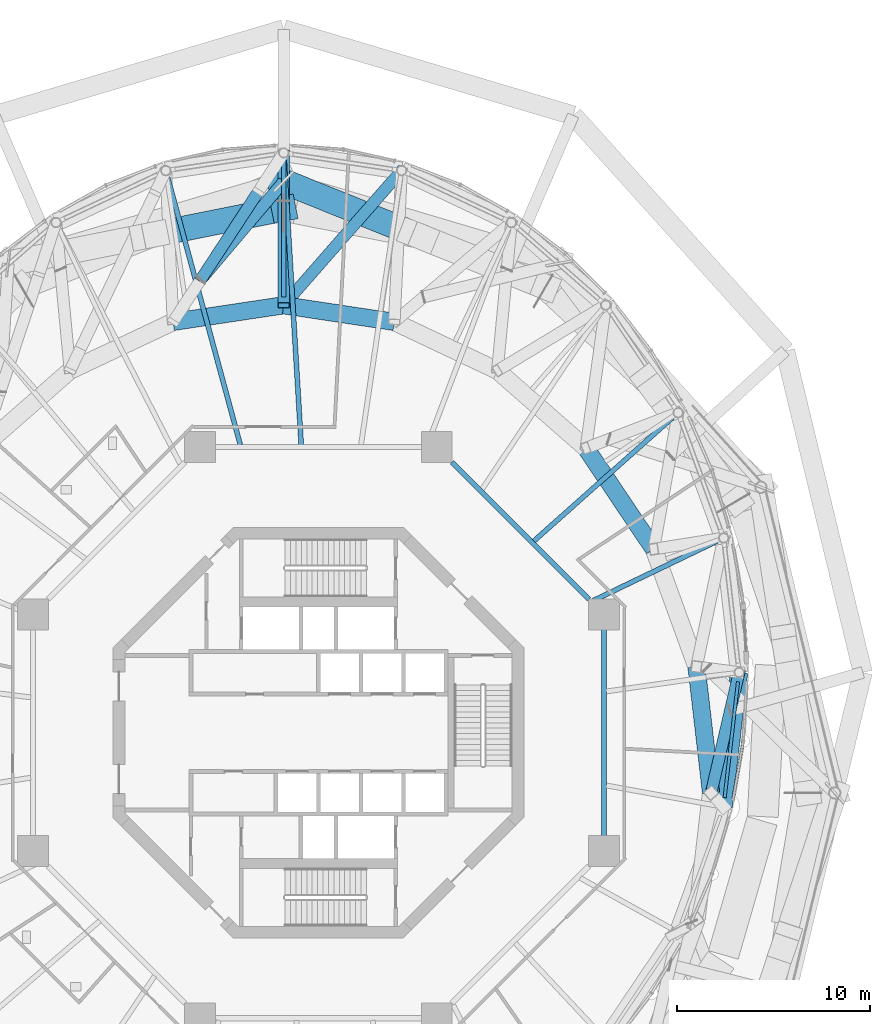
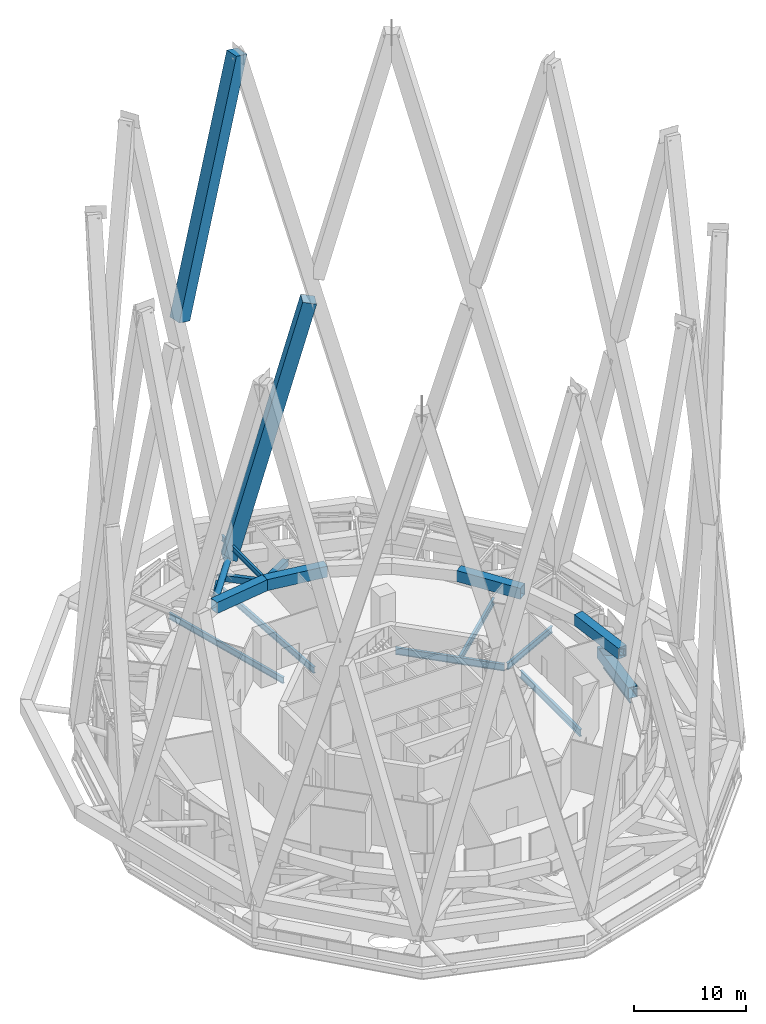
# One storey, part 24 of 48: 17 beams, 4 members, 1 element without a shape of its own.
"""IFC4 building model written with IfcOpenShell, lengths in metres."""

from ifc_helpers import new_model, si_unit, direction, frame, origin, origin_2d, place, context, subcontext, project, spatial, rectangle, hollow_rectangle, hollow_circle, i_section, extrude, material, layer, layer_set, material_profile, profile_set, type_object, element, aggregate, save


model = new_model("IFC4")

# Units and contexts
model_context = context("Model", 3, precision=1e-05, world=origin(), true_north=direction((0.0, 1.0)))
body_context = subcontext(model_context, "Body", "Model", "MODEL_VIEW")
ifc_project = project(units=[si_unit("LENGTHUNIT", "METRE"), si_unit("AREAUNIT", "SQUARE_METRE"), si_unit("VOLUMEUNIT", "CUBIC_METRE"), si_unit("PLANEANGLEUNIT", "RADIAN"), si_unit("MASSUNIT", "GRAM", prefix="KILO")], contexts=[model_context])

# Site, building, storey
site_placement = place(None, origin())
site = spatial("IfcSite", under=ifc_project, at=site_placement, CompositionType="ELEMENT")
building_placement = place(site_placement, origin())
building = spatial("IfcBuilding", under=site, at=building_placement, Name="Nagisa Residences", CompositionType="ELEMENT")
storey_placement = place(building_placement, frame((0.0, 0.0, 252.89990234375)))
storey = spatial("IfcBuildingStorey", under=building, at=storey_placement, Name="L64", CompositionType="ELEMENT", Elevation=252.89990234375)

# Beams
ifc_material_1 = material(Name="Steel ASTM A572 Gr 50", Category="steel")
ifc_material_profile_1 = material_profile(ifc_material_1, hollow_rectangle(XDim=0.89990234375, YDim=1.199951171875, WallThickness=0.0400390625, at=origin_2d()), Name="BX 900x1200x40")
ifc_profile_set_1 = profile_set([ifc_material_profile_1], Name="Steel ASTM A572 Gr 50")
beam_type_1 = type_object("IfcBeamType", Name="Belt chord 5 BX 900x1200x40", PredefinedType="BEAM", material=ifc_profile_set_1)
beam_1_placement = place(storey_placement, frame((20.320068359375, -3.11767578125, 4.739990234375), z_axis=(-0.114648064328, 0.993406171385, 0.0), x_axis=(-0.993406171385, -0.114648064328, 0.0)))
element("IfcBeam", 1, at=beam_1_placement, inside=storey, type_object=beam_type_1, Name="beam:L64:bt5t01", PredefinedType="BEAM", context=body_context, shape_type="SweptSolid", body=[
    extrude(hollow_rectangle(XDim=0.89990234375, YDim=1.199951171875, WallThickness=0.0400390625, at=origin_2d()), origin(), (0.0, 0.0, 1.0), 6.575927734375),
])
beam_2_placement = place(storey_placement, frame((17.3564453125, 9.502197265625, 4.739990234375), z_axis=(-0.558004952096, 0.829837618716, 0.0), x_axis=(-0.829837618716, -0.558004952096, 0.0)))
element("IfcBeam", 2, at=beam_2_placement, inside=storey, type_object=beam_type_1, Name="beam:L64:bt5t03", PredefinedType="BEAM", context=body_context, shape_type="SweptSolid", body=[
    extrude(hollow_rectangle(XDim=0.89990234375, YDim=1.199951171875, WallThickness=0.0400390625, at=origin_2d()), origin(), (0.0, 0.0, 1.0), 6.299560546875),
])
for number, where, z_axis, x_axis, name in (
    (3, (3.925048828125, 21.26220703125, 4.739990234375), (-0.988902301615, 0.148567283948, 0.0), (-0.148567283948, -0.988902301615, 0.0), "beam:L64:bt5t06"),
    (4, (-1.800048828125, 22.122314453125, 4.739990234375), (-0.988902301615, -0.148567283948, 0.0), (0.148567283948, -0.988902301615, 0.0), "beam:L64:bt5t07"),
):
    element("IfcBeam", number, at=place(storey_placement, frame(where, z_axis=z_axis, x_axis=x_axis)), inside=storey, type_object=beam_type_1, Name=name, PredefinedType="BEAM", context=body_context, shape_type="SweptSolid", body=[
        extrude(hollow_rectangle(XDim=0.89990234375, YDim=1.199951171875, WallThickness=0.0400390625, at=origin_2d()), origin(), (0.0, 0.0, 1.0), 5.789306640625),
    ])
beam_3_placement = place(storey_placement, frame((20.966796875, -3.842041015625, 0.60009765625), z_axis=(0.114649239058, 0.99340603581, 0.0), x_axis=(-0.99340603581, 0.114649239058, 0.0)))
element("IfcBeam", 5, at=beam_3_placement, inside=storey, type_object=beam_type_1, Name="beam:L64:bt5b24", PredefinedType="BEAM", context=body_context, shape_type="SweptSolid", body=[
    extrude(hollow_rectangle(XDim=0.89990234375, YDim=1.199951171875, WallThickness=0.0400390625, at=origin_2d()), origin(), (0.0, 0.0, 1.0), 7.005859375),
])
ifc_material_2 = material(Name="Steel ASTM A572 Gr 50", Category="steel")
ifc_material_profile_2 = material_profile(ifc_material_2, hollow_rectangle(XDim=0.60009765625, YDim=0.60009765625, WallThickness=0.034912109375, at=origin_2d()), Name="BX 600x600x35")
ifc_profile_set_2 = profile_set([ifc_material_profile_2], Name="Steel ASTM A572 Gr 50")
beam_type_2 = type_object("IfcBeamType", Name="Belt diagonal 5 BX 600x600x35", PredefinedType="BEAM", material=ifc_profile_set_2)
beam_4_placement = place(storey_placement, frame((21.77001953125, 3.11767578125, 0.60009765625), z_axis=(-0.190190158833, -0.817891338038, 0.543029891116), x_axis=(0.974012527335, -0.226494142515, 0.0)))
element("IfcBeam", 6, at=beam_4_placement, inside=storey, type_object=beam_type_2, Name="beam:L64:bt5da01", PredefinedType="BEAM", context=body_context, shape_type="SweptSolid", body=[
    extrude(hollow_rectangle(XDim=0.60009765625, YDim=0.60009765625, WallThickness=0.034912109375, at=origin_2d()), origin(), (0.0, 0.0, 1.0), 7.623779296875),
])
beam_5_placement = place(storey_placement, frame((4.30029296875, 29.091552734375, 0.60009765625), z_axis=(-0.601308865591, -0.686955732067, 0.408067972699), x_axis=(0.752455848614, -0.658642692122, 0.0)))
element("IfcBeam", 7, at=beam_5_placement, inside=storey, type_object=beam_type_2, Name="beam:L64:bt5db06", PredefinedType="BEAM", context=body_context, shape_type="SweptSolid", body=[
    extrude(hollow_rectangle(XDim=0.60009765625, YDim=0.60009765625, WallThickness=0.034912109375, at=origin_2d()), origin(), (0.0, 0.0, 1.0), 10.14501953125),
])
beam_6_placement = place(storey_placement, frame((-1.800048828125, 30.0078125, 0.60009765625), z_axis=(0.0, -0.885397620788, 0.464834436227), x_axis=(1.0, 0.0, 0.0)))
element("IfcBeam", 8, at=beam_6_placement, inside=storey, type_object=beam_type_2, Name="beam:L64:bt5da07", PredefinedType="BEAM", context=body_context, shape_type="SweptSolid", body=[
    extrude(hollow_rectangle(XDim=0.60009765625, YDim=0.60009765625, WallThickness=0.034912109375, at=origin_2d()), origin(), (0.0, 0.0, 1.0), 8.90625),
])
beam_7_placement = place(storey_placement, frame((-3.11376953125, 28.0009765625, 1.550048828125), z_axis=(-0.50922247042, -0.77788066848, 0.36823109758), x_axis=(0.836669866756, -0.547707526024, 0.0)))
element("IfcBeam", 9, at=beam_7_placement, inside=storey, type_object=beam_type_2, Name="beam:L64:bt5db07", PredefinedType="BEAM", context=body_context, shape_type="SweptSolid", body=[
    extrude(hollow_rectangle(XDim=0.60009765625, YDim=0.60009765625, WallThickness=0.034912109375, at=origin_2d()), origin(), (0.0, 0.0, 1.0), 6.0830078125),
])

# Curtain wall, member
ifc_material_3 = material(Name="Aluminium curtain wall system", Category="aluminium")
ifc_layer = layer(ifc_material_3, 0.159912109375)
ifc_layer_set = layer_set([ifc_layer], Name="CW2 CURTAIN WALL")
curtain_wall_type = type_object("IfcCurtainWallType", Name="CW2 CURTAIN WALL", PredefinedType="NOTDEFINED", material=ifc_layer_set)
curtain_wall_placement = place(storey_placement, origin())
curtain_wall = element("IfcCurtainWall", 10, at=curtain_wall_placement, inside=storey, type_object=curtain_wall_type, Name="cw:CW2:L64:46", PredefinedType="NOTDEFINED")
ifc_material_4 = material(Name="Aluminium", Category="aluminium")
ifc_material_profile_3 = material_profile(ifc_material_4, rectangle(XDim=0.139892578125, YDim=0.179931640625, at=origin_2d()), Name="CW2 TRANSOM 140x180")
ifc_profile_set_3 = profile_set([ifc_material_profile_3], Name="Aluminium")
member_type_1 = type_object("IfcMemberType", Name="CW2 TRANSOM 140x180", PredefinedType="USERDEFINED", material=ifc_profile_set_3)
member_1_placement = place(storey_placement, frame((21.448486328125, -3.514404296875, 0.090087890625), z_axis=(0.172216953306, 0.98505904442, 0.0), x_axis=(-0.98505904442, 0.172216953306, 0.0)))
member_1 = element("IfcMember", 11, at=member_1_placement, type_object=member_type_1, Name="CW2 transom", ObjectType="TRANSOM", PredefinedType="USERDEFINED", context=body_context, shape_type="SweptSolid", body=[
    extrude(rectangle(XDim=0.139892578125, YDim=0.179931640625, at=origin_2d()), origin(), (0.0, 0.0, 1.0), 3.117431640625),
])
aggregate(curtain_wall, [member_1])

# Members
ifc_material_5 = material(Name="Concrete C80", Category="concrete")
ifc_material_profile_4 = material_profile(ifc_material_5, rectangle(XDim=1.300048828125, YDim=1.300048828125, at=origin_2d()), Name="C80 1300x1300")
ifc_profile_set_4 = profile_set([ifc_material_profile_4], Name="Concrete C80")
member_type_2 = type_object("IfcMemberType", Name="Cage diagonal 6 C80 1300x1300", PredefinedType="BRACE", material=ifc_profile_set_4)
member_2_placement = place(storey_placement, frame((-1.800048828125, 28.522216796875, 3.7001953125), z_axis=(0.235874073624, -0.094824881278, 0.967146143705), x_axis=(0.373001705982, 0.927830656604, 0.0)))
element("IfcMember", 12, at=member_2_placement, inside=storey, type_object=member_type_2, Name="mem:L64:cg6d006a", PredefinedType="BRACE", context=body_context, shape_type="SweptSolid", body=[
    extrude(rectangle(XDim=1.300048828125, YDim=1.300048828125, at=origin_2d()), origin(), (0.0, 0.0, 1.0), 28.151123046875),
])
member_3_placement = place(storey_placement, frame((-8.427001953125, 25.802978515625, 33.46142578125), z_axis=(0.248130611066, 0.049399418737, 0.967466225395), x_axis=(-0.195254462845, 0.980752616483, 0.0)))
element("IfcMember", 13, at=member_3_placement, inside=storey, type_object=member_type_2, Name="mem:L64:cg6d008b", PredefinedType="BRACE", context=body_context, shape_type="SweptSolid", body=[
    extrude(rectangle(XDim=1.300048828125, YDim=1.300048828125, at=origin_2d()), origin(), (0.0, 0.0, 1.0), 26.70751953125),
])
ifc_material_6 = material(Name="Steel ASTM A572 Gr 65", Category="steel")
ifc_material_profile_5 = material_profile(ifc_material_6, hollow_circle(Radius=0.304931640625, WallThickness=0.02490234375, at=origin_2d()), Name="CHS 610x25")
ifc_profile_set_5 = profile_set([ifc_material_profile_5], Name="Steel ASTM A572 Gr 65")
member_type_3 = type_object("IfcMemberType", Name="Cage strut CHS 610x25", PredefinedType="STRUT", material=ifc_profile_set_5)
member_4_placement = place(storey_placement, frame((-1.800048828125, 28.522216796875, 3.7001953125), z_axis=(-0.646188012997, -0.763178256935, 0.0), x_axis=(0.763178256935, -0.646188012997, 0.0)))
element("IfcMember", 14, at=member_4_placement, inside=storey, type_object=member_type_3, Name="mem:L64:bt5st6b04", PredefinedType="STRUT", context=body_context, shape_type="SweptSolid", body=[
    extrude(hollow_circle(Radius=0.304931640625, WallThickness=0.02490234375, at=origin_2d()), origin(), (0.0, 0.0, 1.0), 6.634033203125),
])

# Beams
ifc_material_7 = material(Name="Steel ASTM A572 Gr 50", Category="steel")
ifc_material_profile_6 = material_profile(ifc_material_7, i_section(OverallWidth=0.22802734375, OverallDepth=0.60302734375, WebThickness=0.010498046875, FlangeThickness=0.014892578125, at=origin_2d()), Name="W610x101")
ifc_profile_set_6 = profile_set([ifc_material_profile_6], Name="Steel ASTM A572 Gr 50")
beam_type_3 = type_object("IfcBeamType", Name="Garden radial beam W610x101", PredefinedType="BEAM", material=ifc_profile_set_6)
beam_8_placement = place(storey_placement, frame((-1.800048828125, 29.773681640625, 5.03857421875), z_axis=(0.0, -1.0, 0.0), x_axis=(1.0, 0.0, 0.0)))
element("IfcBeam", 15, at=beam_8_placement, inside=storey, type_object=beam_type_3, Name="beam:L64:bt5gr07", PredefinedType="BEAM", context=body_context, shape_type="SweptSolid", body=[
    extrude(i_section(OverallWidth=0.22802734375, OverallDepth=0.60302734375, WebThickness=0.010498046875, FlangeThickness=0.014892578125, at=origin_2d()), origin(), (0.0, 0.0, 1.0), 7.221435546875),
])
ifc_material_8 = material(Name="Steel ASTM A572 Gr 50", Category="steel")
ifc_material_profile_7 = material_profile(ifc_material_8, i_section(OverallWidth=0.264892578125, OverallDepth=0.7529296875, WebThickness=0.01318359375, FlangeThickness=0.01708984375, at=origin_2d()), Name="W760x147")
ifc_profile_set_7 = profile_set([ifc_material_profile_7], Name="Steel ASTM A572 Gr 50")
beam_type_4 = type_object("IfcBeamType", Name="Inner ring beam W760x147", PredefinedType="BEAM", material=ifc_profile_set_7)
beam_9_placement = place(storey_placement, frame((13.99609375, 6.90869140625, -0.726318359375), z_axis=(-0.707106781187, 0.707106781187, 0.0), x_axis=(-0.707106781187, -0.707106781187, 0.0)))
element("IfcBeam", 16, at=beam_9_placement, inside=storey, type_object=beam_type_4, Name="beam:L64:ib1", PredefinedType="BEAM", context=body_context, shape_type="SweptSolid", body=[
    extrude(i_section(OverallWidth=0.264892578125, OverallDepth=0.7529296875, WebThickness=0.01318359375, FlangeThickness=0.01708984375, at=origin_2d()), origin(), (0.0, 0.0, 1.0), 10.023193359375),
])
beam_10_placement = place(storey_placement, frame((14.781982421875, -5.343017578125, -0.726318359375), z_axis=(0.0, 1.0, 0.0), x_axis=(-1.0, 0.0, 0.0)))
element("IfcBeam", 17, at=beam_10_placement, inside=storey, type_object=beam_type_4, Name="beam:L64:ib8", PredefinedType="BEAM", context=body_context, shape_type="SweptSolid", body=[
    extrude(i_section(OverallWidth=0.264892578125, OverallDepth=0.7529296875, WebThickness=0.01318359375, FlangeThickness=0.01708984375, at=origin_2d()), origin(), (0.0, 0.0, 1.0), 10.68603515625),
])
ifc_material_9 = material(Name="Steel ASTM A572 Gr 50", Category="steel")
ifc_material_profile_8 = material_profile(ifc_material_9, i_section(OverallWidth=0.166015625, OverallDepth=0.534912109375, WebThickness=0.01025390625, FlangeThickness=0.0166015625, at=origin_2d()), Name="W530x85")
ifc_profile_set_8 = profile_set([ifc_material_profile_8], Name="Steel ASTM A572 Gr 50")
beam_type_5 = type_object("IfcBeamType", Name="Perimeter ring beam W530x85", PredefinedType="BEAM", material=ifc_profile_set_8)
beam_11_placement = place(storey_placement, frame((21.022216796875, -3.36181640625, -0.617431640625), z_axis=(0.114650193512, 0.993405925656, 0.0), x_axis=(-0.993405925656, 0.114650193512, 0.0)))
element("IfcBeam", 18, at=beam_11_placement, inside=storey, type_object=beam_type_5, Name="beam:L64:pb24", PredefinedType="BEAM", context=body_context, shape_type="SweptSolid", body=[
    extrude(i_section(OverallWidth=0.166015625, OverallDepth=0.534912109375, WebThickness=0.01025390625, FlangeThickness=0.0166015625, at=origin_2d()), origin(), (0.0, 0.0, 1.0), 6.0390625),
])
ifc_material_10 = material(Name="Steel ASTM A572 Gr 50", Category="steel")
ifc_material_profile_9 = material_profile(ifc_material_10, i_section(OverallWidth=0.2529296875, OverallDepth=0.677978515625, WebThickness=0.01171875, FlangeThickness=0.016357421875, at=origin_2d()), Name="W690x125")
ifc_profile_set_9 = profile_set([ifc_material_profile_9], Name="Steel ASTM A572 Gr 50")
beam_type_6 = type_object("IfcBeamType", Name="Radial beam W690x125", PredefinedType="BEAM", material=ifc_profile_set_9)
beam_12_placement = place(storey_placement, frame((20.61572265625, 9.90869140625, -0.68896484375), z_axis=(-0.90129018757, -0.433215878968, 0.0), x_axis=(0.433215878968, -0.90129018757, 0.0)))
element("IfcBeam", 19, at=beam_12_placement, inside=storey, type_object=beam_type_6, Name="beam:L64:rb02", PredefinedType="BEAM", context=body_context, shape_type="SweptSolid", body=[
    extrude(i_section(OverallWidth=0.2529296875, OverallDepth=0.677978515625, WebThickness=0.01171875, FlangeThickness=0.016357421875, at=origin_2d()), origin(), (0.0, 0.0, 1.0), 7.087890625),
])
beam_13_placement = place(storey_placement, frame((18.318115234375, 16.301025390625, -0.68896484375), z_axis=(-0.747040226244, -0.664778835683, 0.0), x_axis=(0.664778835683, -0.747040226244, 0.0)))
element("IfcBeam", 20, at=beam_13_placement, inside=storey, type_object=beam_type_6, Name="beam:L64:rb03", PredefinedType="BEAM", context=body_context, shape_type="SweptSolid", body=[
    extrude(i_section(OverallWidth=0.2529296875, OverallDepth=0.677978515625, WebThickness=0.01171875, FlangeThickness=0.016357421875, at=origin_2d()), origin(), (0.0, 0.0, 1.0), 9.60107421875),
])
beam_14_placement = place(storey_placement, frame((-1.777099609375, 29.627685546875, -0.68896484375), z_axis=(0.059862293861, -0.998206644825, 0.0), x_axis=(0.998206644825, 0.059862293861, 0.0)))
element("IfcBeam", 21, at=beam_14_placement, inside=storey, type_object=beam_type_6, Name="beam:L64:rb07", PredefinedType="BEAM", context=body_context, shape_type="SweptSolid", body=[
    extrude(i_section(OverallWidth=0.2529296875, OverallDepth=0.677978515625, WebThickness=0.01171875, FlangeThickness=0.016357421875, at=origin_2d()), origin(), (0.0, 0.0, 1.0), 14.759521484375),
])
beam_15_placement = place(storey_placement, frame((-7.80078125, 28.724609375, -0.68896484375), z_axis=(0.262076437854, -0.965047118395, 0.0), x_axis=(0.965047118395, 0.262076437854, 0.0)))
element("IfcBeam", 22, at=beam_15_placement, inside=storey, type_object=beam_type_6, Name="beam:L64:rb08", PredefinedType="BEAM", context=body_context, shape_type="SweptSolid", body=[
    extrude(i_section(OverallWidth=0.2529296875, OverallDepth=0.677978515625, WebThickness=0.01171875, FlangeThickness=0.016357421875, at=origin_2d()), origin(), (0.0, 0.0, 1.0), 14.330322265625),
])

save(model, "model.ifc")
